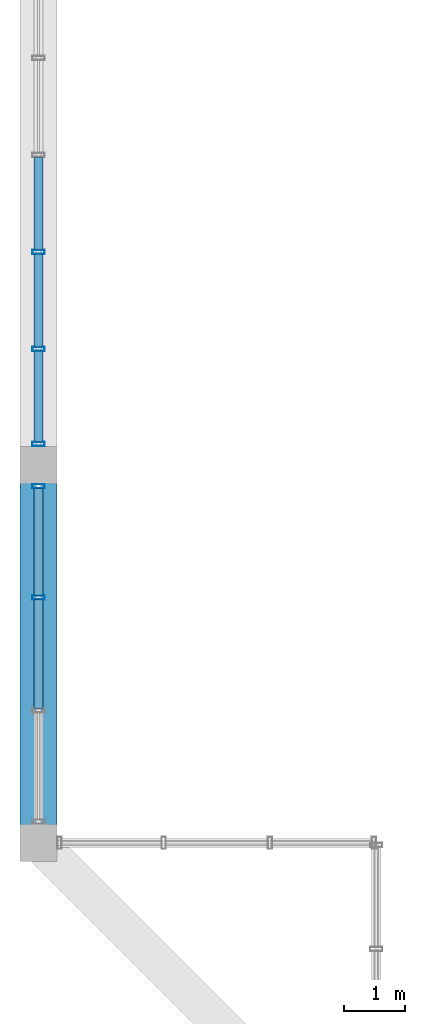
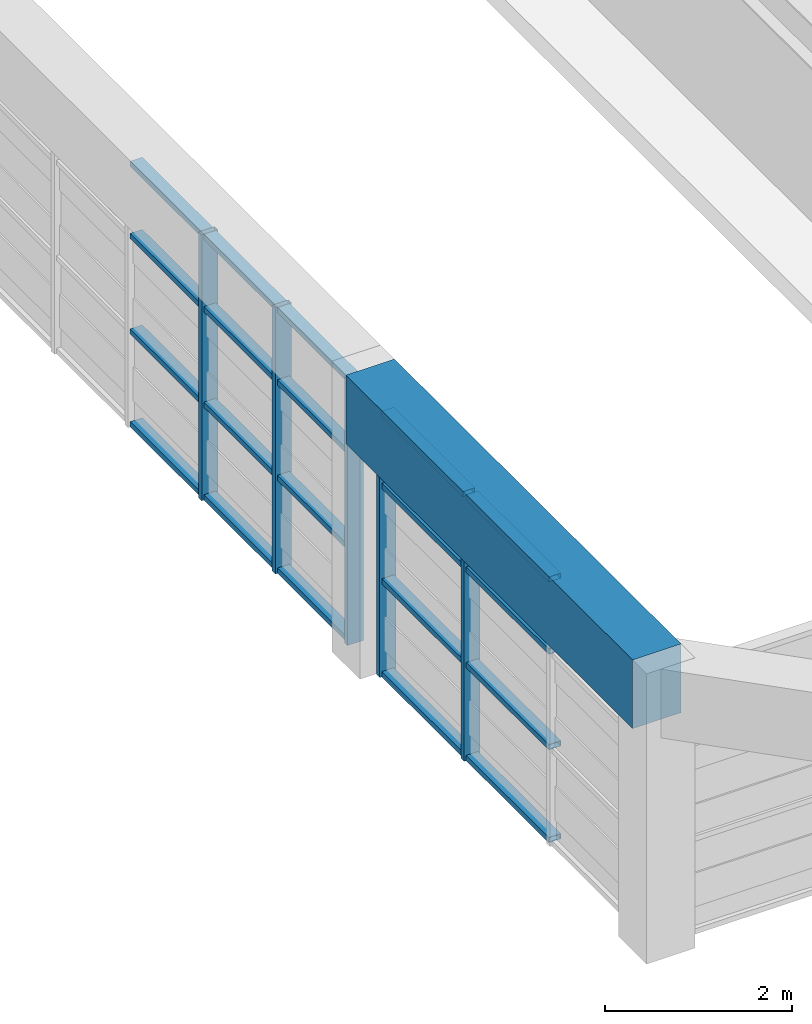
# One storey, part 4 of 27: 25 members, 1 beam, 2 elements without a shape of their own.
"""IFC4 building model written with IfcOpenShell, lengths in metres."""

from ifc_helpers import new_model, si_unit, direction, frame, origin, origin_2d, place, context, subcontext, project, spatial, rectangle, hollow_rectangle, extrude, source, transform, mapped, material, layer, layer_set, material_profile, profile_set, type_object, element, aggregate, save


model = new_model("IFC4")

# Units and contexts
model_context = context("Model", 3, precision=1e-05, world=origin(), true_north=direction((0.0, 1.0)))
body_context = subcontext(model_context, "Body", "Model", "MODEL_VIEW")
ifc_project = project(units=[si_unit("LENGTHUNIT", "METRE"), si_unit("AREAUNIT", "SQUARE_METRE"), si_unit("VOLUMEUNIT", "CUBIC_METRE"), si_unit("PLANEANGLEUNIT", "RADIAN"), si_unit("MASSUNIT", "GRAM", prefix="KILO")], contexts=[model_context])

# Site, building, storey
site_placement = place(None, origin())
site = spatial("IfcSite", under=ifc_project, at=site_placement, CompositionType="ELEMENT")
building_placement = place(site_placement, origin())
building = spatial("IfcBuilding", under=site, at=building_placement, Name="Saelheon Loggia Tower", CompositionType="ELEMENT")
storey_placement = place(building_placement, frame((0.0, 0.0, 263.60009765625)))
storey = spatial("IfcBuildingStorey", under=building, at=storey_placement, Name="CR4", CompositionType="ELEMENT", Elevation=263.60009765625)

# Beam
ifc_material_1 = material(Name="Precast Concrete C45/55", Category="concrete")
ifc_material_profile_1 = material_profile(ifc_material_1, rectangle(XDim=0.60009765625, YDim=0.89990234375, at=origin_2d()), Name="RC-600x900")
ifc_profile_set_1 = profile_set([ifc_material_profile_1], Name="Precast Concrete C45/55")
beam_type = type_object("IfcBeamType", Name="CrownFrame_Ring_RC600x900", PredefinedType="BEAM", material=ifc_profile_set_1)
shared_shape_1 = source(origin(), body_context, "Body", "SweptSolid", [
    extrude(rectangle(XDim=0.60009765625, YDim=0.89990234375, at=origin_2d()), origin(), (0.0, 0.0, 1.0), 6.14990234375),
])
beam_placement = place(storey_placement, frame((23.35009765625, 18.0, 3.349853515625), z_axis=(0.0, -1.0, 0.0), x_axis=(1.0, 0.0, 0.0)))
element("IfcBeam", 1, at=beam_placement, inside=storey, type_object=beam_type, Name="CR4 CROWN FRAME Ring Beam 15", PredefinedType="BEAM", context=body_context, shape_type="MappedRepresentation", body=[
    mapped(shared_shape_1, transform((0.0, 0.0, 0.0), scale=1.0)),
])

# Curtain wall, members
ifc_material_2 = material(Name="Bronze-Anodised Aluminium and Fritted Ceramic Screen", Category="aluminium")
ifc_layer = layer(ifc_material_2, 0.219970703125)
ifc_layer_set = layer_set([ifc_layer], Name="Bronze-Anodised Aluminium and Fritted Ceramic Screen")
curtain_wall_type = type_object("IfcCurtainWallType", Name="CW_CrownScreen", PredefinedType="NOTDEFINED", material=ifc_layer_set)
curtain_wall_1_placement = place(storey_placement, origin())
curtain_wall_1 = element("IfcCurtainWall", 2, at=curtain_wall_1_placement, inside=storey, type_object=curtain_wall_type, Name="CR4 Crown Screen Curtain Wall 9-2", PredefinedType="NOTDEFINED")
ifc_material_3 = material(Name="Bronze-Anodised Aluminium 6063-T6", Category="aluminium")
ifc_material_profile_2 = material_profile(ifc_material_3, hollow_rectangle(XDim=0.070068359375, YDim=0.199951171875, WallThickness=0.0048828125, at=origin_2d()), Name="RHS-200x70x5")
ifc_profile_set_2 = profile_set([ifc_material_profile_2], Name="Bronze-Anodised Aluminium 6063-T6")
member_type_1 = type_object("IfcMemberType", Name="CW_CrownScreen_Mullion", PredefinedType="MULLION", material=ifc_profile_set_2)
shared_shape_2 = source(origin(), body_context, "Body", "SweptSolid", [
    extrude(hollow_rectangle(XDim=0.070068359375, YDim=0.199951171875, WallThickness=0.0048828125, at=origin_2d()), origin(), (0.0, 0.0, 1.0), 3.47998046875),
])
member_1_placement = place(storey_placement, frame((23.35009765625, 21.469970703125, 0.0), z_axis=(0.0, 0.0, 1.0), x_axis=(0.0, -1.0, 0.0)))
member_1 = element("IfcMember", 3, at=member_1_placement, type_object=member_type_1, Name="CW6 mullion 10", PredefinedType="MULLION", context=body_context, shape_type="MappedRepresentation", body=[
    mapped(shared_shape_2, transform((0.0, 0.0, 0.0), scale=1.0)),
])
member_2_placement = place(storey_placement, frame((23.35009765625, 19.889892578125, 0.0), z_axis=(0.0, 0.0, 1.0), x_axis=(0.0, -1.0, 0.0)))
member_2 = element("IfcMember", 4, at=member_2_placement, type_object=member_type_1, Name="CW6 mullion 11", PredefinedType="MULLION", context=body_context, shape_type="MappedRepresentation", body=[
    mapped(shared_shape_2, transform((0.0, 0.0, 0.0), scale=1.0)),
])
member_3_placement = place(storey_placement, frame((23.35009765625, 18.344970703125, 0.0), z_axis=(0.0, 0.0, 1.0), x_axis=(0.0, -1.0, 0.0)))
member_3 = element("IfcMember", 5, at=member_3_placement, type_object=member_type_1, Name="CW6 mullion 12", PredefinedType="MULLION", context=body_context, shape_type="MappedRepresentation", body=[
    mapped(shared_shape_2, transform((0.0, 0.0, 0.0), scale=1.0)),
])

curtain_wall_2_placement = place(storey_placement, origin())
curtain_wall_2 = element("IfcCurtainWall", 6, at=curtain_wall_2_placement, inside=storey, type_object=curtain_wall_type, Name="CR4 Crown Screen Curtain Wall 9-3", PredefinedType="NOTDEFINED")
member_4_placement = place(storey_placement, frame((23.35009765625, 17.655029296875, 0.0), z_axis=(0.0, 0.0, 1.0), x_axis=(0.0, -1.0, 0.0)))
member_4 = element("IfcMember", 7, at=member_4_placement, type_object=member_type_1, Name="CW6 mullion 1", PredefinedType="MULLION", context=body_context, shape_type="MappedRepresentation", body=[
    mapped(shared_shape_2, transform((0.0, 0.0, 0.0), scale=1.0)),
])
member_5_placement = place(storey_placement, frame((23.35009765625, 15.8466796875, 0.0), z_axis=(0.0, 0.0, 1.0), x_axis=(0.0, -1.0, 0.0)))
member_5 = element("IfcMember", 8, at=member_5_placement, type_object=member_type_1, Name="CW6 mullion 2", PredefinedType="MULLION", context=body_context, shape_type="MappedRepresentation", body=[
    mapped(shared_shape_2, transform((0.0, 0.0, 0.0), scale=1.0)),
])
ifc_material_profile_3 = material_profile(ifc_material_3, hollow_rectangle(XDim=0.070068359375, YDim=0.14990234375, WallThickness=0.0048828125, at=origin_2d()), Name="RHS-150x70x5")
ifc_profile_set_3 = profile_set([ifc_material_profile_3], Name="Bronze-Anodised Aluminium 6063-T6")
member_type_2 = type_object("IfcMemberType", Name="CW_CrownScreen_Transom", PredefinedType="USERDEFINED", material=ifc_profile_set_3)
shared_shape_3 = source(origin(), body_context, "Body", "SweptSolid", [
    extrude(hollow_rectangle(XDim=0.070068359375, YDim=0.14990234375, WallThickness=0.0048828125, at=origin_2d()), origin(), (0.0, 0.0, 1.0), 1.7734375),
])
member_6_placement = place(storey_placement, frame((23.35009765625, 15.811767578125, 0.034912109375), z_axis=(0.0, -1.0, 0.0), x_axis=(0.0, 0.0, 1.0)))
member_6 = element("IfcMember", 9, at=member_6_placement, type_object=member_type_2, Name="CW6 transom 2.1", ObjectType="TRANSOM", PredefinedType="USERDEFINED", context=body_context, shape_type="MappedRepresentation", body=[
    mapped(shared_shape_3, transform((0.0, 0.0, 0.0), scale=1.0)),
])
member_7_placement = place(storey_placement, frame((23.35009765625, 15.811767578125, 1.25), z_axis=(0.0, -1.0, 0.0), x_axis=(0.0, 0.0, 1.0)))
member_7 = element("IfcMember", 10, at=member_7_placement, type_object=member_type_2, Name="CW6 transom 2.2", ObjectType="TRANSOM", PredefinedType="USERDEFINED", context=body_context, shape_type="MappedRepresentation", body=[
    mapped(shared_shape_3, transform((0.0, 0.0, 0.0), scale=1.0)),
])
member_8_placement = place(storey_placement, frame((23.35009765625, 15.811767578125, 2.5), z_axis=(0.0, -1.0, 0.0), x_axis=(0.0, 0.0, 1.0)))
member_8 = element("IfcMember", 11, at=member_8_placement, type_object=member_type_2, Name="CW6 transom 2.3", ObjectType="TRANSOM", PredefinedType="USERDEFINED", context=body_context, shape_type="MappedRepresentation", body=[
    mapped(shared_shape_3, transform((0.0, 0.0, 0.0), scale=1.0)),
])
member_9_placement = place(storey_placement, frame((23.35009765625, 15.811767578125, 3.44482421875), z_axis=(0.0, -1.0, 0.0), x_axis=(0.0, 0.0, 1.0)))
member_9 = element("IfcMember", 12, at=member_9_placement, type_object=member_type_2, Name="CW6 transom 2.4", ObjectType="TRANSOM", PredefinedType="USERDEFINED", context=body_context, shape_type="MappedRepresentation", body=[
    mapped(shared_shape_3, transform((0.0, 0.0, 0.0), scale=1.0)),
])
shared_shape_4 = source(origin(), body_context, "Body", "SweptSolid", [
    extrude(hollow_rectangle(XDim=0.070068359375, YDim=0.14990234375, WallThickness=0.0048828125, at=origin_2d()), origin(), (0.0, 0.0, 1.0), 1.738525390625),
])
member_10_placement = place(storey_placement, frame((23.35009765625, 17.6201171875, 0.034912109375), z_axis=(0.0, -1.0, 0.0), x_axis=(0.0, 0.0, 1.0)))
member_10 = element("IfcMember", 13, at=member_10_placement, type_object=member_type_2, Name="CW6 transom 1.1", ObjectType="TRANSOM", PredefinedType="USERDEFINED", context=body_context, shape_type="MappedRepresentation", body=[
    mapped(shared_shape_4, transform((0.0, 0.0, 0.0), scale=1.0)),
])
member_11_placement = place(storey_placement, frame((23.35009765625, 17.6201171875, 1.25), z_axis=(0.0, -1.0, 0.0), x_axis=(0.0, 0.0, 1.0)))
member_11 = element("IfcMember", 14, at=member_11_placement, type_object=member_type_2, Name="CW6 transom 1.2", ObjectType="TRANSOM", PredefinedType="USERDEFINED", context=body_context, shape_type="MappedRepresentation", body=[
    mapped(shared_shape_4, transform((0.0, 0.0, 0.0), scale=1.0)),
])
member_12_placement = place(storey_placement, frame((23.35009765625, 17.6201171875, 2.5), z_axis=(0.0, -1.0, 0.0), x_axis=(0.0, 0.0, 1.0)))
member_12 = element("IfcMember", 15, at=member_12_placement, type_object=member_type_2, Name="CW6 transom 1.3", ObjectType="TRANSOM", PredefinedType="USERDEFINED", context=body_context, shape_type="MappedRepresentation", body=[
    mapped(shared_shape_4, transform((0.0, 0.0, 0.0), scale=1.0)),
])
member_13_placement = place(storey_placement, frame((23.35009765625, 17.6201171875, 3.44482421875), z_axis=(0.0, -1.0, 0.0), x_axis=(0.0, 0.0, 1.0)))
member_13 = element("IfcMember", 16, at=member_13_placement, type_object=member_type_2, Name="CW6 transom 1.4", ObjectType="TRANSOM", PredefinedType="USERDEFINED", context=body_context, shape_type="MappedRepresentation", body=[
    mapped(shared_shape_4, transform((0.0, 0.0, 0.0), scale=1.0)),
])
aggregate(curtain_wall_2, [member_4, member_5, member_10, member_11, member_12, member_13, member_6, member_7, member_8, member_9])

# Member
shared_shape_5 = source(origin(), body_context, "Body", "SweptSolid", [
    extrude(hollow_rectangle(XDim=0.070068359375, YDim=0.14990234375, WallThickness=0.0048828125, at=origin_2d()), origin(), (0.0, 0.0, 1.0), 1.47509765625),
])
member_14_placement = place(storey_placement, frame((23.35009765625, 19.85498046875, 0.034912109375), z_axis=(0.0, -1.0, 0.0), x_axis=(0.0, 0.0, 1.0)))
member_14 = element("IfcMember", 17, at=member_14_placement, type_object=member_type_2, Name="CW6 transom 11.1", ObjectType="TRANSOM", PredefinedType="USERDEFINED", context=body_context, shape_type="MappedRepresentation", body=[
    mapped(shared_shape_5, transform((0.0, 0.0, 0.0), scale=1.0)),
])

member_15_placement = place(storey_placement, frame((23.35009765625, 19.85498046875, 1.25), z_axis=(0.0, -1.0, 0.0), x_axis=(0.0, 0.0, 1.0)))
member_15 = element("IfcMember", 18, at=member_15_placement, type_object=member_type_2, Name="CW6 transom 11.2", ObjectType="TRANSOM", PredefinedType="USERDEFINED", context=body_context, shape_type="MappedRepresentation", body=[
    mapped(shared_shape_5, transform((0.0, 0.0, 0.0), scale=1.0)),
])

member_16_placement = place(storey_placement, frame((23.35009765625, 19.85498046875, 2.5), z_axis=(0.0, -1.0, 0.0), x_axis=(0.0, 0.0, 1.0)))
member_16 = element("IfcMember", 19, at=member_16_placement, type_object=member_type_2, Name="CW6 transom 11.3", ObjectType="TRANSOM", PredefinedType="USERDEFINED", context=body_context, shape_type="MappedRepresentation", body=[
    mapped(shared_shape_5, transform((0.0, 0.0, 0.0), scale=1.0)),
])

member_17_placement = place(storey_placement, frame((23.35009765625, 19.85498046875, 3.44482421875), z_axis=(0.0, -1.0, 0.0), x_axis=(0.0, 0.0, 1.0)))
member_17 = element("IfcMember", 20, at=member_17_placement, type_object=member_type_2, Name="CW6 transom 11.4", ObjectType="TRANSOM", PredefinedType="USERDEFINED", context=body_context, shape_type="MappedRepresentation", body=[
    mapped(shared_shape_5, transform((0.0, 0.0, 0.0), scale=1.0)),
])

shared_shape_6 = source(origin(), body_context, "Body", "SweptSolid", [
    extrude(hollow_rectangle(XDim=0.070068359375, YDim=0.14990234375, WallThickness=0.0048828125, at=origin_2d()), origin(), (0.0, 0.0, 1.0), 1.510009765625),
])
member_18_placement = place(storey_placement, frame((23.35009765625, 23.014892578125, 0.034912109375), z_axis=(0.0, -1.0, 0.0), x_axis=(0.0, 0.0, 1.0)))
member_18 = element("IfcMember", 21, at=member_18_placement, type_object=member_type_2, Name="CW6 transom 9.1", ObjectType="TRANSOM", PredefinedType="USERDEFINED", context=body_context, shape_type="MappedRepresentation", body=[
    mapped(shared_shape_6, transform((0.0, 0.0, 0.0), scale=1.0)),
])

member_19_placement = place(storey_placement, frame((23.35009765625, 23.014892578125, 1.25), z_axis=(0.0, -1.0, 0.0), x_axis=(0.0, 0.0, 1.0)))
member_19 = element("IfcMember", 22, at=member_19_placement, type_object=member_type_2, Name="CW6 transom 9.2", ObjectType="TRANSOM", PredefinedType="USERDEFINED", context=body_context, shape_type="MappedRepresentation", body=[
    mapped(shared_shape_6, transform((0.0, 0.0, 0.0), scale=1.0)),
])

member_20_placement = place(storey_placement, frame((23.35009765625, 23.014892578125, 2.5), z_axis=(0.0, -1.0, 0.0), x_axis=(0.0, 0.0, 1.0)))
member_20 = element("IfcMember", 23, at=member_20_placement, type_object=member_type_2, Name="CW6 transom 9.3", ObjectType="TRANSOM", PredefinedType="USERDEFINED", context=body_context, shape_type="MappedRepresentation", body=[
    mapped(shared_shape_6, transform((0.0, 0.0, 0.0), scale=1.0)),
])

member_21_placement = place(storey_placement, frame((23.35009765625, 23.014892578125, 3.44482421875), z_axis=(0.0, -1.0, 0.0), x_axis=(0.0, 0.0, 1.0)))
member_21 = element("IfcMember", 24, at=member_21_placement, type_object=member_type_2, Name="CW6 transom 9.4", ObjectType="TRANSOM", PredefinedType="USERDEFINED", context=body_context, shape_type="MappedRepresentation", body=[
    mapped(shared_shape_6, transform((0.0, 0.0, 0.0), scale=1.0)),
])

member_22_placement = place(storey_placement, frame((23.35009765625, 21.43505859375, 0.034912109375), z_axis=(0.0, -1.0, 0.0), x_axis=(0.0, 0.0, 1.0)))
member_22 = element("IfcMember", 25, at=member_22_placement, type_object=member_type_2, Name="CW6 transom 10.1", ObjectType="TRANSOM", PredefinedType="USERDEFINED", context=body_context, shape_type="MappedRepresentation", body=[
    mapped(shared_shape_6, transform((0.0, 0.0, 0.0), scale=1.0)),
])

member_23_placement = place(storey_placement, frame((23.35009765625, 21.43505859375, 1.25), z_axis=(0.0, -1.0, 0.0), x_axis=(0.0, 0.0, 1.0)))
member_23 = element("IfcMember", 26, at=member_23_placement, type_object=member_type_2, Name="CW6 transom 10.2", ObjectType="TRANSOM", PredefinedType="USERDEFINED", context=body_context, shape_type="MappedRepresentation", body=[
    mapped(shared_shape_6, transform((0.0, 0.0, 0.0), scale=1.0)),
])

member_24_placement = place(storey_placement, frame((23.35009765625, 21.43505859375, 2.5), z_axis=(0.0, -1.0, 0.0), x_axis=(0.0, 0.0, 1.0)))
member_24 = element("IfcMember", 27, at=member_24_placement, type_object=member_type_2, Name="CW6 transom 10.3", ObjectType="TRANSOM", PredefinedType="USERDEFINED", context=body_context, shape_type="MappedRepresentation", body=[
    mapped(shared_shape_6, transform((0.0, 0.0, 0.0), scale=1.0)),
])

member_25_placement = place(storey_placement, frame((23.35009765625, 21.43505859375, 3.44482421875), z_axis=(0.0, -1.0, 0.0), x_axis=(0.0, 0.0, 1.0)))
member_25 = element("IfcMember", 28, at=member_25_placement, type_object=member_type_2, Name="CW6 transom 10.4", ObjectType="TRANSOM", PredefinedType="USERDEFINED", context=body_context, shape_type="MappedRepresentation", body=[
    mapped(shared_shape_6, transform((0.0, 0.0, 0.0), scale=1.0)),
])

aggregate(curtain_wall_1, [member_1, member_2, member_3, member_18, member_19, member_20, member_21, member_22, member_23, member_24, member_25, member_14, member_15, member_16, member_17])

save(model, "model.ifc")
